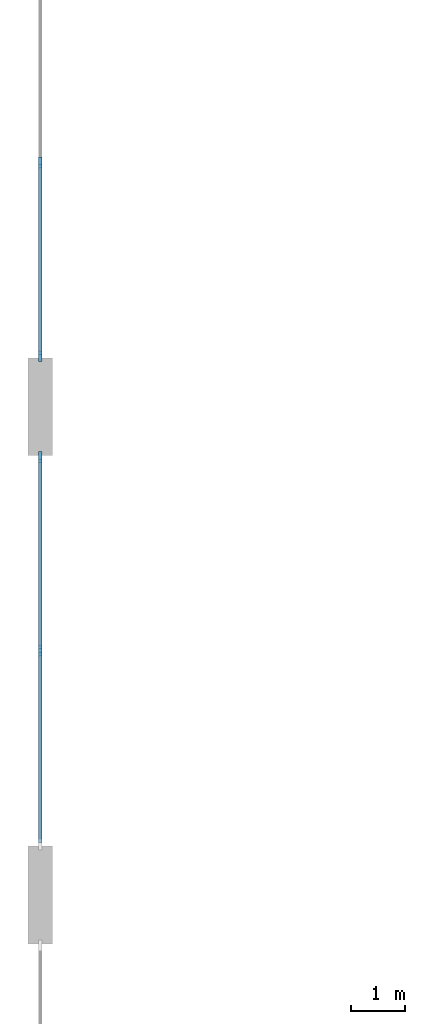
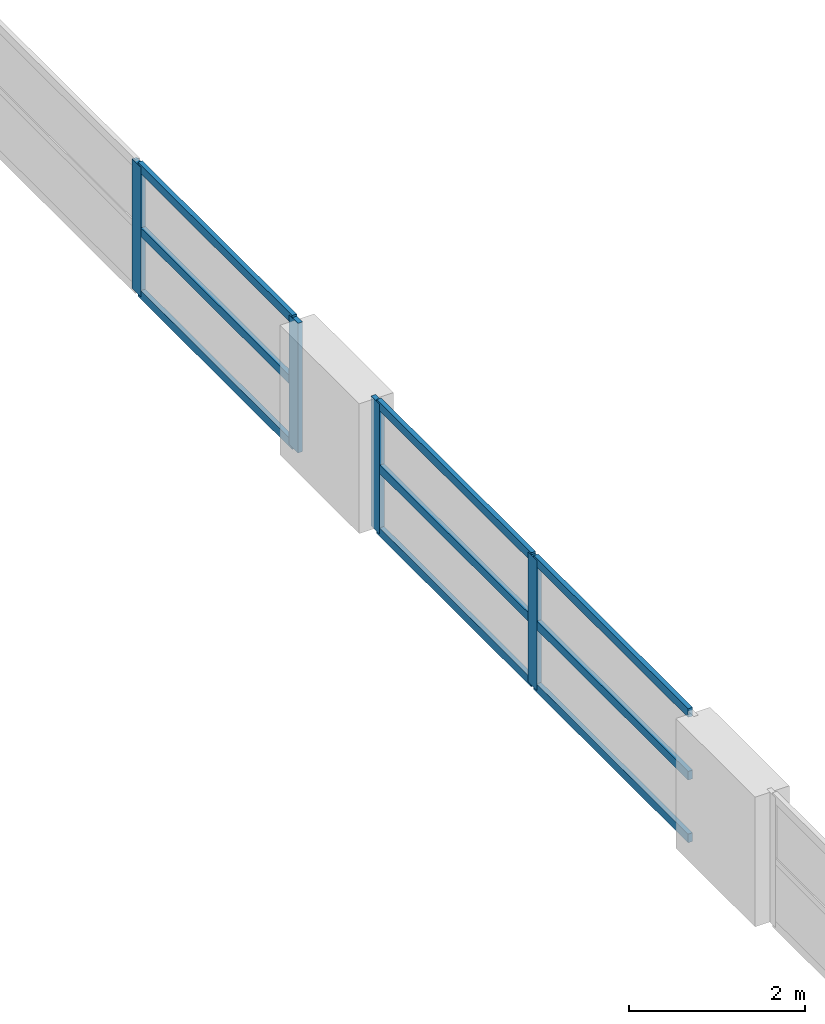
# One storey, part 3 of 32: 13 members, 2 elements without a shape of their own.
"""IFC4 building model written with IfcOpenShell, lengths in metres."""

import ifcopenshell
import ifcopenshell.guid

model = None  # the IFC model being written
_history = None  # IfcOwnerHistory: only IFC2X3 demands one
_inside = {}  # id of a spatial element -> (the spatial element, [elements in it])
_under = {}  # id of a project, library or spatial element -> (it, [spatial elements below it])
_declared = {}  # id of a project -> (the project, [libraries it declares])
_typed = {}  # id of a type object -> (the type object, [elements of that type])
_made_of = {}  # id of a material, layer set ... -> (it, [elements and type objects made of it])


def new_model(schema):
    """Start an empty IFC model of exactly this schema.

    Asked for "IFC4X3", IfcOpenShell would pick the latest addendum, in which some entities
    have other attributes; the version numbers below select the first issue.
    IFC2X3 requires an IfcOwnerHistory on every rooted entity: one is made here for all.
    """
    global model, _history
    if schema == "IFC4X3":
        model = ifcopenshell.file(schema_version=(4, 3, 0, 0))
    else:
        model = ifcopenshell.file(schema=schema)
    _inside.clear()
    _under.clear()
    _declared.clear()
    _typed.clear()
    _made_of.clear()
    _history = None
    if model.schema == "IFC2X3":
        org = make("IfcOrganization", Name="unknown")
        user = make(
            "IfcPersonAndOrganization",
            ThePerson=make("IfcPerson", FamilyName="unknown"),
            TheOrganization=org,
        )
        app = make(
            "IfcApplication",
            ApplicationDeveloper=org,
            Version="unknown",
            ApplicationFullName="unknown",
            ApplicationIdentifier="unknown",
        )
        _history = make(
            "IfcOwnerHistory",
            OwningUser=user,
            OwningApplication=app,
            ChangeAction="ADDED",
            CreationDate=0,
        )
    return model


def make(cls, **values):
    """One entity of the class cls with the attributes given. An attribute that is None is left unset."""
    return model.create_entity(
        cls, **{name: value for name, value in values.items() if value is not None}
    )


def rooted(cls, **values):
    """An entity with a GlobalId (a new one), such as an element, a storey or a relation."""
    return make(cls, GlobalId=ifcopenshell.guid.new(), OwnerHistory=_history, **values)


def si_unit(unit_type, name, prefix=None):
    """IfcSIUnit, for example si_unit("LENGTHUNIT", "METRE", prefix="MILLI")."""
    return make("IfcSIUnit", UnitType=unit_type, Prefix=prefix, Name=name)


def assignment(units):
    """IfcUnitAssignment: the units of a project."""
    return None if units is None else make("IfcUnitAssignment", Units=units)


def point(xyz):
    """IfcCartesianPoint."""
    return None if xyz is None else make("IfcCartesianPoint", Coordinates=xyz)


def direction(xyz):
    """IfcDirection."""
    return None if xyz is None else make("IfcDirection", DirectionRatios=xyz)


def frame(location, z_axis=None, x_axis=None):
    """IfcAxis2Placement3D, a coordinate frame: its origin and axes. An axis left out is left unset."""
    return make(
        "IfcAxis2Placement3D",
        Location=point(location),
        Axis=direction(z_axis),
        RefDirection=direction(x_axis),
    )


def frame_2d(location, x_axis=None):
    """IfcAxis2Placement2D, a coordinate frame in the plane: its origin and x axis."""
    return make(
        "IfcAxis2Placement2D", Location=point(location), RefDirection=direction(x_axis)
    )


def origin():
    """The frame at (0, 0, 0) with its axes left unset."""
    return frame((0.0, 0.0, 0.0))


def origin_2d():
    """The frame at (0, 0) in the plane with its x axis left unset."""
    return frame_2d((0.0, 0.0))


def place(relative_to, where):
    """IfcLocalPlacement: puts the frame where relative to a parent placement (None: the world)."""
    return make(
        "IfcLocalPlacement", PlacementRelTo=relative_to, RelativePlacement=where
    )


def context(
    kind, dimensions, precision=None, world=None, true_north=None, identifier=None
):
    """IfcGeometricRepresentationContext, for example the 3D "Model" context."""
    return make(
        "IfcGeometricRepresentationContext",
        ContextIdentifier=identifier,
        ContextType=kind,
        CoordinateSpaceDimension=dimensions,
        Precision=precision,
        WorldCoordinateSystem=world,
        TrueNorth=true_north,
    )


def subcontext(parent, identifier, kind, view, scale=None):
    """IfcGeometricRepresentationSubContext, for example "Body" below "Model"."""
    return make(
        "IfcGeometricRepresentationSubContext",
        ContextIdentifier=identifier,
        ContextType=kind,
        ParentContext=parent,
        TargetScale=scale,
        TargetView=view,
    )


def project(units=None, contexts=None):
    """IfcProject with its units and contexts."""
    return rooted(
        "IfcProject",
        Name="project",
        RepresentationContexts=contexts,
        UnitsInContext=assignment(units),
    )


def spatial(cls, under=None, at=None, **own):
    """A site, building, storey or space (cls), placed at a placement, below another one or the project."""
    s = rooted(cls, ObjectPlacement=at, **own)
    if under is not None:
        _under.setdefault(under.id(), (under, []))[1].append(s)
    return s


def profile(cls, at=None, kind="AREA", **sizes):
    """A parametric profile (cls). Its sizes go by their IFC names, for example OverallWidth=200.0."""
    return make(cls, ProfileType=kind, Position=at, **sizes)


def rectangle(**sizes):
    """IfcRectangleProfileDef."""
    return profile("IfcRectangleProfileDef", **sizes)


def extrude(swept, where, along, depth):
    """IfcExtrudedAreaSolid: the profile swept, set in the frame where, extruded along a direction by depth."""
    return make(
        "IfcExtrudedAreaSolid",
        SweptArea=swept,
        Position=where,
        ExtrudedDirection=direction(along),
        Depth=depth,
    )


def shape(context_of_items, identifier, shape_type, items):
    """IfcShapeRepresentation: the items that make up one representation, for example the "Body"."""
    return make(
        "IfcShapeRepresentation",
        ContextOfItems=context_of_items,
        RepresentationIdentifier=identifier,
        RepresentationType=shape_type,
        Items=items,
    )


def material(Name=None, Category=None):
    """IfcMaterial."""
    return make("IfcMaterial", Name=Name, Category=Category)


def material_profile(
    of_material, cross_section, Name=None, Category=None, Priority=None
):
    """IfcMaterialProfile: a cross section and its material."""
    return make(
        "IfcMaterialProfile",
        Name=Name,
        Material=of_material,
        Profile=cross_section,
        Priority=Priority,
        Category=Category,
    )


def profile_set(profiles, Name=None, composite=None):
    """IfcMaterialProfileSet."""
    return make(
        "IfcMaterialProfileSet",
        Name=Name,
        MaterialProfiles=profiles,
        CompositeProfile=composite,
    )


def made_of(thing, what):
    """Note that an element or type object is made of a material, layer set ...; save() writes the relation."""
    if what is not None:
        _made_of.setdefault(what.id(), (what, []))[1].append(thing)
    return thing


def type_object(cls, material=None, **own):
    """A type object (cls), such as IfcWallType, which elements share."""
    return made_of(rooted(cls, **own), material)


def element(
    cls,
    number,
    at=None,
    inside=None,
    cuts=None,
    type_object=None,
    material=None,
    context=None,
    identifier="Body",
    shape_type=None,
    held_by="IfcProductDefinitionShape",
    body=None,
    shapes=None,
    **own,
):
    """One element of the class cls, such as IfcWall. Its Tag is "e" and its number.

    at: its placement. inside: the storey or other place that contains it. cuts: it is an
    opening in that element (IfcRelVoidsElement). A single representation is given by context,
    identifier, shape_type and body (its items); several are given by shapes. held_by: the class
    of the entity that holds the representations. save() writes the other relations.
    """
    e = rooted(cls, Tag="e%d" % number, ObjectPlacement=at, **own)
    if body is not None:
        shapes = [shape(context, identifier, shape_type, body)]
    if shapes is not None:
        e.Representation = make(held_by, Representations=shapes)
    if inside is not None:
        _inside.setdefault(inside.id(), (inside, []))[1].append(e)
    if cuts is not None:
        rooted(
            "IfcRelVoidsElement", RelatingBuildingElement=cuts, RelatedOpeningElement=e
        )
    if type_object is not None:
        _typed.setdefault(type_object.id(), (type_object, []))[1].append(e)
    return made_of(e, material)


def aggregate(whole, parts):
    """IfcRelAggregates: a whole, such as a stair, and the parts it consists of."""
    return rooted("IfcRelAggregates", RelatingObject=whole, RelatedObjects=parts)


def save(model, path):
    """Write the relations noted so far, then the file.

    IfcRelAggregates (storeys below a building ...), IfcRelContainedInSpatialStructure (elements
    in a storey), IfcRelDefinesByType, IfcRelAssociatesMaterial and IfcRelDeclares: one each for
    every whole, place, type object, material and project.
    """
    for whole, parts in _under.values():
        aggregate(whole, parts)
    for where, things in _inside.values():
        rooted(
            "IfcRelContainedInSpatialStructure",
            RelatedElements=things,
            RelatingStructure=where,
        )
    for kind, things in _typed.values():
        rooted("IfcRelDefinesByType", RelatedObjects=things, RelatingType=kind)
    for what, things in _made_of.values():
        rooted("IfcRelAssociatesMaterial", RelatedObjects=things, RelatingMaterial=what)
    for by, libraries in _declared.values():
        rooted("IfcRelDeclares", RelatingContext=by, RelatedDefinitions=libraries)
    model.write(path)


model = new_model("IFC4")

# Units and contexts
model_context = context("Model", 3, precision=1e-05, world=origin(), true_north=direction((0.0, 1.0)))
body_context = subcontext(model_context, "Body", "Model", "MODEL_VIEW")
ifc_project = project(units=[si_unit("LENGTHUNIT", "METRE"), si_unit("AREAUNIT", "SQUARE_METRE"), si_unit("VOLUMEUNIT", "CUBIC_METRE"), si_unit("PLANEANGLEUNIT", "RADIAN"), si_unit("MASSUNIT", "GRAM", prefix="KILO")], contexts=[model_context])

# Site, building, storey
site_placement = place(None, origin())
site = spatial("IfcSite", under=ifc_project, at=site_placement, CompositionType="ELEMENT")
building_placement = place(site_placement, origin())
building = spatial("IfcBuilding", under=site, at=building_placement, Name="Aravalli Gate Trade Fair Centre", CompositionType="ELEMENT")
storey_placement = place(building_placement, frame((0.0, 0.0, 23.39990234375)))
storey = spatial("IfcBuildingStorey", under=building, at=storey_placement, Name="ROOF LEVEL 1", CompositionType="ELEMENT", Elevation=23.39990234375)

# Curtain wall, members
ifc_material_1 = material(Name="Aluminium, glass and louvre", Category="aluminium")
curtain_wall_type = type_object("IfcCurtainWallType", Name="Hall crown curtain wall 3000 module", PredefinedType="NOTDEFINED", material=ifc_material_1)
curtain_wall_1_placement = place(storey_placement, origin())
curtain_wall_1 = element("IfcCurtainWall", 1, at=curtain_wall_1_placement, inside=storey, type_object=curtain_wall_type, Name="Hall west crown curtain wall 3 ROOF LEVEL 1", PredefinedType="NOTDEFINED")
ifc_material_2 = material(Name="Aluminium", Category="aluminium")
ifc_material_profile_1 = material_profile(ifc_material_2, rectangle(XDim=0.06005859375, YDim=0.199951171875, at=origin_2d()), Name="Hall curtain wall mullion 60 x 200")
ifc_profile_set_1 = profile_set([ifc_material_profile_1], Name="Aluminium")
member_type_1 = type_object("IfcMemberType", Name="Hall curtain wall mullion 60 x 200", PredefinedType="MULLION", material=ifc_profile_set_1)
member_1_placement = place(storey_placement, frame((5.425048828125, 68.5, 0.0), z_axis=(0.0, 0.0, 1.0), x_axis=(-1.0, 0.0, 0.0)))
member_1 = element("IfcMember", 2, at=member_1_placement, type_object=member_type_1, Name="HCW1 mullion 2", PredefinedType="MULLION", context=body_context, shape_type="SweptSolid", body=[
    extrude(rectangle(XDim=0.06005859375, YDim=0.199951171875, at=origin_2d()), origin(), (0.0, 0.0, 1.0), 1.800048828125),
])
member_2_placement = place(storey_placement, frame((5.425048828125, 72.070068359375, 0.0), z_axis=(0.0, 0.0, 1.0), x_axis=(-1.0, 0.0, 0.0)))
member_2 = element("IfcMember", 3, at=member_2_placement, type_object=member_type_1, Name="HCW1 mullion 3", PredefinedType="MULLION", context=body_context, shape_type="SweptSolid", body=[
    extrude(rectangle(XDim=0.06005859375, YDim=0.199951171875, at=origin_2d()), origin(), (0.0, 0.0, 1.0), 1.800048828125),
])

curtain_wall_2_placement = place(storey_placement, origin())
curtain_wall_2 = element("IfcCurtainWall", 4, at=curtain_wall_2_placement, inside=storey, type_object=curtain_wall_type, Name="Hall west crown curtain wall 4 ROOF LEVEL 1", PredefinedType="NOTDEFINED")
member_3_placement = place(storey_placement, frame((5.425048828125, 73.929931640625, 0.0), z_axis=(0.0, 0.0, 1.0), x_axis=(-1.0, 0.0, 0.0)))
member_3 = element("IfcMember", 5, at=member_3_placement, type_object=member_type_1, Name="HCW1 mullion 1", PredefinedType="MULLION", context=body_context, shape_type="SweptSolid", body=[
    extrude(rectangle(XDim=0.06005859375, YDim=0.199951171875, at=origin_2d()), origin(), (0.0, 0.0, 1.0), 1.800048828125),
])
member_4_placement = place(storey_placement, frame((5.425048828125, 77.5, 0.0), z_axis=(0.0, 0.0, 1.0), x_axis=(-1.0, 0.0, 0.0)))
member_4 = element("IfcMember", 6, at=member_4_placement, type_object=member_type_1, Name="HCW1 mullion 2", PredefinedType="MULLION", context=body_context, shape_type="SweptSolid", body=[
    extrude(rectangle(XDim=0.06005859375, YDim=0.199951171875, at=origin_2d()), origin(), (0.0, 0.0, 1.0), 1.800048828125),
])

# Member
ifc_material_profile_2 = material_profile(ifc_material_2, rectangle(XDim=0.06005859375, YDim=0.1201171875, at=origin_2d()), Name="Hall curtain wall transom 60 x 120")
ifc_profile_set_2 = profile_set([ifc_material_profile_2], Name="Aluminium")
member_type_2 = type_object("IfcMemberType", Name="Hall curtain wall transom 60 x 120", PredefinedType="USERDEFINED", material=ifc_profile_set_2)
member_5_placement = place(storey_placement, frame((5.425048828125, 64.9599609375, 0.030029296875), z_axis=(0.0, 1.0, 0.0), x_axis=(-1.0, 0.0, 0.0)))
member_5 = element("IfcMember", 7, at=member_5_placement, type_object=member_type_2, Name="HCW1 transom 1.1", ObjectType="TRANSOM", PredefinedType="USERDEFINED", context=body_context, shape_type="SweptSolid", body=[
    extrude(rectangle(XDim=0.06005859375, YDim=0.1201171875, at=origin_2d()), origin(), (0.0, 0.0, 1.0), 3.510009765625),
])

member_6_placement = place(storey_placement, frame((5.425048828125, 64.9599609375, 0.900146484375), z_axis=(0.0, 1.0, 0.0), x_axis=(-1.0, 0.0, 0.0)))
member_6 = element("IfcMember", 8, at=member_6_placement, type_object=member_type_2, Name="HCW1 transom 1.2", ObjectType="TRANSOM", PredefinedType="USERDEFINED", context=body_context, shape_type="SweptSolid", body=[
    extrude(rectangle(XDim=0.06005859375, YDim=0.1201171875, at=origin_2d()), origin(), (0.0, 0.0, 1.0), 3.510009765625),
])

member_7_placement = place(storey_placement, frame((5.425048828125, 64.9599609375, 1.77001953125), z_axis=(0.0, 1.0, 0.0), x_axis=(-1.0, 0.0, 0.0)))
member_7 = element("IfcMember", 9, at=member_7_placement, type_object=member_type_2, Name="HCW1 transom 1.3", ObjectType="TRANSOM", PredefinedType="USERDEFINED", context=body_context, shape_type="SweptSolid", body=[
    extrude(rectangle(XDim=0.06005859375, YDim=0.1201171875, at=origin_2d()), origin(), (0.0, 0.0, 1.0), 3.510009765625),
])

member_8_placement = place(storey_placement, frame((5.425048828125, 68.530029296875, 0.030029296875), z_axis=(0.0, 1.0, 0.0), x_axis=(-1.0, 0.0, 0.0)))
member_8 = element("IfcMember", 10, at=member_8_placement, type_object=member_type_2, Name="HCW1 transom 2.1", ObjectType="TRANSOM", PredefinedType="USERDEFINED", context=body_context, shape_type="SweptSolid", body=[
    extrude(rectangle(XDim=0.06005859375, YDim=0.1201171875, at=origin_2d()), origin(), (0.0, 0.0, 1.0), 3.510009765625),
])

member_9_placement = place(storey_placement, frame((5.425048828125, 68.530029296875, 0.900146484375), z_axis=(0.0, 1.0, 0.0), x_axis=(-1.0, 0.0, 0.0)))
member_9 = element("IfcMember", 11, at=member_9_placement, type_object=member_type_2, Name="HCW1 transom 2.2", ObjectType="TRANSOM", PredefinedType="USERDEFINED", context=body_context, shape_type="SweptSolid", body=[
    extrude(rectangle(XDim=0.06005859375, YDim=0.1201171875, at=origin_2d()), origin(), (0.0, 0.0, 1.0), 3.510009765625),
])

member_10_placement = place(storey_placement, frame((5.425048828125, 68.530029296875, 1.77001953125), z_axis=(0.0, 1.0, 0.0), x_axis=(-1.0, 0.0, 0.0)))
member_10 = element("IfcMember", 12, at=member_10_placement, type_object=member_type_2, Name="HCW1 transom 2.3", ObjectType="TRANSOM", PredefinedType="USERDEFINED", context=body_context, shape_type="SweptSolid", body=[
    extrude(rectangle(XDim=0.06005859375, YDim=0.1201171875, at=origin_2d()), origin(), (0.0, 0.0, 1.0), 3.510009765625),
])

aggregate(curtain_wall_1, [member_1, member_2, member_5, member_6, member_7, member_8, member_9, member_10])

member_11_placement = place(storey_placement, frame((5.425048828125, 73.9599609375, 0.030029296875), z_axis=(0.0, 1.0, 0.0), x_axis=(-1.0, 0.0, 0.0)))
member_11 = element("IfcMember", 13, at=member_11_placement, type_object=member_type_2, Name="HCW1 transom 1.1", ObjectType="TRANSOM", PredefinedType="USERDEFINED", context=body_context, shape_type="SweptSolid", body=[
    extrude(rectangle(XDim=0.06005859375, YDim=0.1201171875, at=origin_2d()), origin(), (0.0, 0.0, 1.0), 3.510009765625),
])

member_12_placement = place(storey_placement, frame((5.425048828125, 73.9599609375, 0.900146484375), z_axis=(0.0, 1.0, 0.0), x_axis=(-1.0, 0.0, 0.0)))
member_12 = element("IfcMember", 14, at=member_12_placement, type_object=member_type_2, Name="HCW1 transom 1.2", ObjectType="TRANSOM", PredefinedType="USERDEFINED", context=body_context, shape_type="SweptSolid", body=[
    extrude(rectangle(XDim=0.06005859375, YDim=0.1201171875, at=origin_2d()), origin(), (0.0, 0.0, 1.0), 3.510009765625),
])

member_13_placement = place(storey_placement, frame((5.425048828125, 73.9599609375, 1.77001953125), z_axis=(0.0, 1.0, 0.0), x_axis=(-1.0, 0.0, 0.0)))
member_13 = element("IfcMember", 15, at=member_13_placement, type_object=member_type_2, Name="HCW1 transom 1.3", ObjectType="TRANSOM", PredefinedType="USERDEFINED", context=body_context, shape_type="SweptSolid", body=[
    extrude(rectangle(XDim=0.06005859375, YDim=0.1201171875, at=origin_2d()), origin(), (0.0, 0.0, 1.0), 3.510009765625),
])

aggregate(curtain_wall_2, [member_3, member_4, member_11, member_12, member_13])

save(model, "model.ifc")
